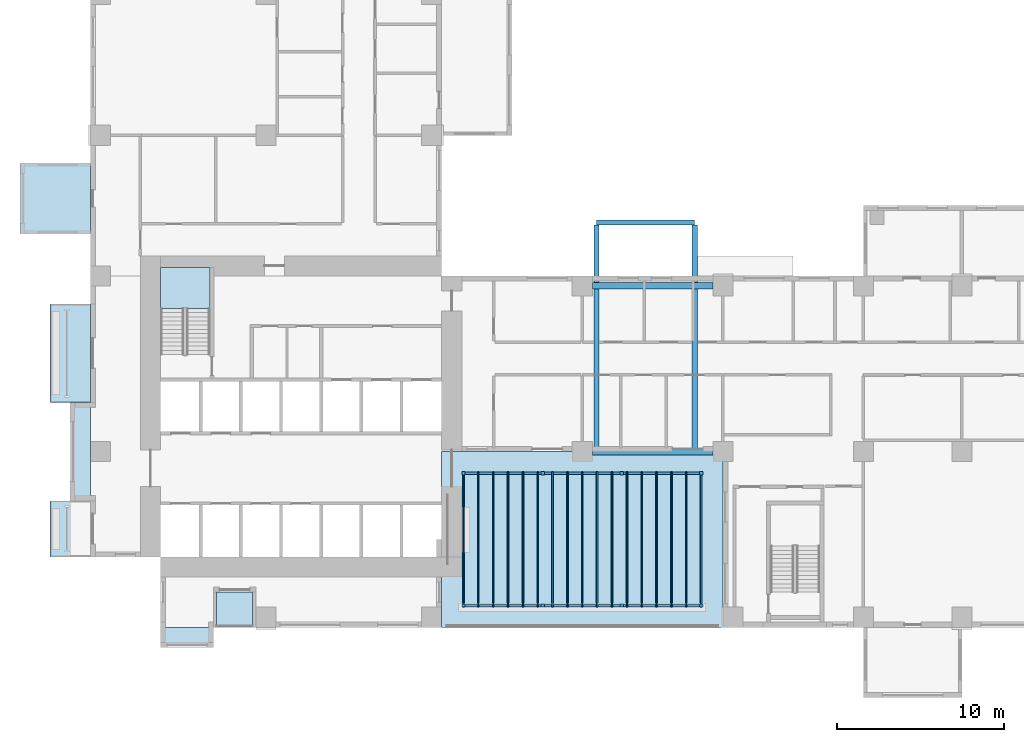
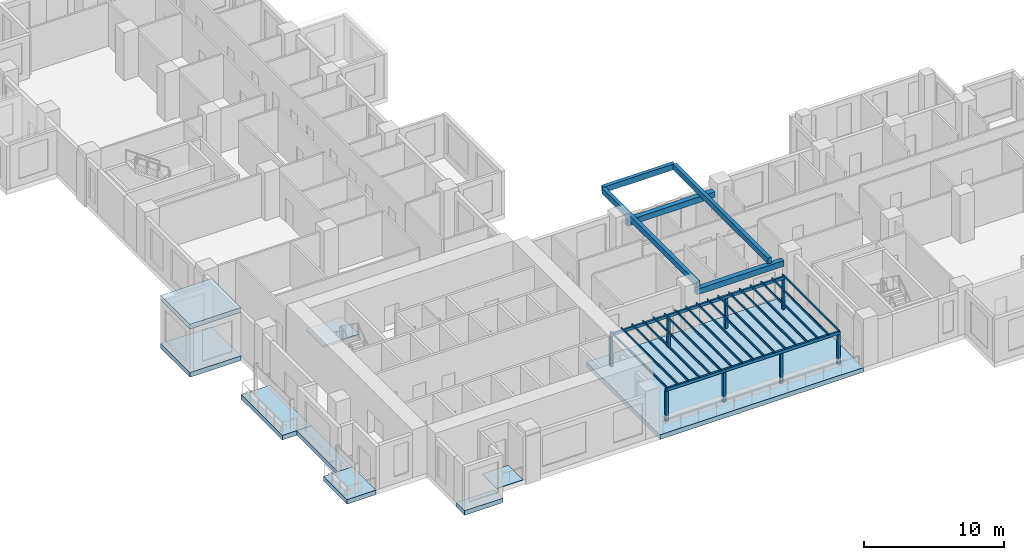
# One storey, part 2 of 17: 27 members, 9 slabs, 5 beams, 1 element without a shape of its own.
"""IFC4 building model written with IfcOpenShell, lengths in metres."""

from ifc_helpers import new_model, si_unit, direction, frame, origin, origin_2d, place, context, subcontext, project, spatial, polyline, rectangle, outline, extrude, source, transform, mapped, material, layer, layer_set, material_profile, profile_set, type_object, element, aggregate, save


model = new_model("IFC4")

# Units and contexts
model_context = context("Model", 3, precision=1e-05, world=origin(), true_north=direction((0.0, 1.0)))
body_context = subcontext(model_context, "Body", "Model", "MODEL_VIEW")
ifc_project = project(units=[si_unit("LENGTHUNIT", "METRE"), si_unit("AREAUNIT", "SQUARE_METRE"), si_unit("VOLUMEUNIT", "CUBIC_METRE"), si_unit("PLANEANGLEUNIT", "RADIAN"), si_unit("MASSUNIT", "GRAM", prefix="KILO")], contexts=[model_context])

# Site, building, storey
site_placement = place(None, origin())
site = spatial("IfcSite", under=ifc_project, at=site_placement, CompositionType="ELEMENT")
building_placement = place(site_placement, origin())
building = spatial("IfcBuilding", under=site, at=building_placement, Name="Aurelian Terraces", CompositionType="ELEMENT")
storey_placement = place(building_placement, frame((0.0, 0.0, 48.9)))
storey = spatial("IfcBuildingStorey", under=building, at=storey_placement, Name="L09", CompositionType="ELEMENT", Elevation=48.9)

# Beam
ifc_material_1 = material(Name="Concrete fc' 40 MPa", Category="concrete")
ifc_material_profile_1 = material_profile(ifc_material_1, rectangle(XDim=0.3, YDim=0.5, at=origin_2d()))
ifc_profile_set_1 = profile_set([ifc_material_profile_1], Name="Concrete fc' 40 MPa")
beam_type_1 = type_object("IfcBeamType", Name="CONCRETE CANTILEVER BEAM 300X500", PredefinedType="BEAM", material=ifc_profile_set_1)
beam_placement = place(storey_placement, frame((30.24, 24.2, 3.55), z_axis=(1.0, 0.0, 0.0), x_axis=(0.0, 1.0, 0.0)))
element("IfcBeam", 1, at=beam_placement, inside=storey, type_object=beam_type_1, Name="Box tip beam J06", PredefinedType="BEAM", context=body_context, shape_type="SweptSolid", body=[
    extrude(rectangle(XDim=0.3, YDim=0.5, at=origin_2d()), origin(), (0.0, 0.0, 1.0), 5.88),
])

# Members
ifc_material_2 = material(Name="Anodised aluminium", Category="aluminium")
ifc_material_profile_2 = material_profile(ifc_material_2, rectangle(XDim=0.15, YDim=0.25, at=origin_2d()))
ifc_profile_set_2 = profile_set([ifc_material_profile_2], Name="Anodised aluminium")
member_type_1 = type_object("IfcMemberType", Name="PERGOLA BEAM 150X250", PredefinedType="PURLIN", material=ifc_profile_set_2)
member_1_placement = place(storey_placement, frame((22.2, 1.3, 2.725), z_axis=(1.0, 0.0, 0.0), x_axis=(0.0, 1.0, 0.0)))
element("IfcMember", 2, at=member_1_placement, inside=storey, type_object=member_type_1, Name="Pergola beam L09 SKY-01-T1.1", PredefinedType="PURLIN", context=body_context, shape_type="SweptSolid", body=[
    extrude(rectangle(XDim=0.15, YDim=0.25, at=origin_2d()), origin(), (0.0, 0.0, 1.0), 14.4),
])
ifc_material_profile_3 = material_profile(ifc_material_2, rectangle(XDim=0.2, YDim=0.2, at=origin_2d()))
ifc_profile_set_3 = profile_set([ifc_material_profile_3], Name="Anodised aluminium")
member_type_2 = type_object("IfcMemberType", Name="PERGOLA POST 200X200", PredefinedType="POST", material=ifc_profile_set_3)
member_2_placement = place(storey_placement, frame((22.3, 1.3, 0.0), z_axis=(0.0, 0.0, 1.0), x_axis=(1.0, 0.0, 0.0)))
element("IfcMember", 3, at=member_2_placement, inside=storey, type_object=member_type_2, Name="Pergola post L09 SKY-01-T1.1.1", PredefinedType="POST", context=body_context, shape_type="SweptSolid", body=[
    extrude(rectangle(XDim=0.2, YDim=0.2, at=origin_2d()), origin(), (0.0, 0.0, 1.0), 2.6),
])
ifc_material_profile_4 = material_profile(ifc_material_2, rectangle(XDim=0.08, YDim=0.15, at=origin_2d()))
ifc_profile_set_4 = profile_set([ifc_material_profile_4], Name="Anodised aluminium")
member_type_3 = type_object("IfcMemberType", Name="PERGOLA RAFTER 80X150", PredefinedType="RAFTER", material=ifc_profile_set_4)
member_3_placement = place(storey_placement, frame((22.3, 1.2, 2.925), z_axis=(0.0, 1.0, 0.0), x_axis=(-1.0, 0.0, 0.0)))
element("IfcMember", 4, at=member_3_placement, inside=storey, type_object=member_type_3, Name="Pergola rafter L09 SKY-01-T1.1", PredefinedType="RAFTER", context=body_context, shape_type="SweptSolid", body=[
    extrude(rectangle(XDim=0.08, YDim=0.15, at=origin_2d()), origin(), (0.0, 0.0, 1.0), 8.1),
])

# Beams
shared_shape_1 = source(origin(), body_context, "Body", "SweptSolid", [
    extrude(rectangle(XDim=0.3, YDim=0.5, at=origin_2d()), origin(), (0.0, 0.0, 1.0), 13.55),
])
for number, where, z_axis, x_axis, name in (
    (5, (30.24, 24.05, 3.55), (0.0, -1.0, 0.0), (1.0, 0.0, 0.0), "Box cantilever beam J06.1"),
    (6, (36.12, 24.05, 3.55), (0.0, -1.0, 0.0), (1.0, 0.0, 0.0), "Box cantilever beam J06.2"),
):
    element("IfcBeam", number, at=place(storey_placement, frame(where, z_axis=z_axis, x_axis=x_axis)), inside=storey, type_object=beam_type_1, Name=name, PredefinedType="BEAM", context=body_context, shape_type="MappedRepresentation", body=[
        mapped(shared_shape_1, transform((0.0, 0.0, 0.0), scale=1.0)),
    ])
ifc_material_profile_5 = material_profile(ifc_material_1, rectangle(XDim=0.4, YDim=0.5, at=origin_2d()))
ifc_profile_set_5 = profile_set([ifc_material_profile_5], Name="Concrete fc' 40 MPa")
beam_type_2 = type_object("IfcBeamType", Name="CONCRETE EDGE GIRDER 400X500", PredefinedType="BEAM", material=ifc_profile_set_5)
shared_shape_2 = source(origin(), body_context, "Body", "SweptSolid", [
    extrude(rectangle(XDim=0.4, YDim=0.5, at=origin_2d()), origin(), (0.0, 0.0, 1.0), 7.2),
])
for number, where, z_axis, x_axis, name in (
    (7, (30.0, 20.4, 3.05), (1.0, 0.0, 0.0), (0.0, 1.0, 0.0), "Box girder L09 O12"),
    (8, (30.0, 10.5, 3.05), (1.0, 0.0, 0.0), (0.0, 1.0, 0.0), "Box girder L09 I13"),
):
    element("IfcBeam", number, at=place(storey_placement, frame(where, z_axis=z_axis, x_axis=x_axis)), inside=storey, type_object=beam_type_2, Name=name, PredefinedType="BEAM", context=body_context, shape_type="MappedRepresentation", body=[
        mapped(shared_shape_2, transform((0.0, 0.0, 0.0), scale=1.0)),
    ])

# Members
shared_shape_3 = source(origin(), body_context, "Body", "SweptSolid", [
    extrude(rectangle(XDim=0.2, YDim=0.2, at=origin_2d()), origin(), (0.0, 0.0, 1.0), 2.6),
])
for number, where, z_axis, x_axis, name in (
    (9, (22.3, 9.2, 0.0), (0.0, 0.0, 1.0), (1.0, 0.0, 0.0), "Pergola post L09 SKY-01-T1.1.2"),
    (10, (27.0333, 1.3, 0.0), (0.0, 0.0, 1.0), (1.0, 0.0, 0.0), "Pergola post L09 SKY-01-T1.2.1"),
    (11, (27.0333, 9.2, 0.0), (0.0, 0.0, 1.0), (1.0, 0.0, 0.0), "Pergola post L09 SKY-01-T1.2.2"),
    (12, (31.7667, 1.3, 0.0), (0.0, 0.0, 1.0), (1.0, 0.0, 0.0), "Pergola post L09 SKY-01-T1.3.1"),
    (13, (31.7667, 9.2, 0.0), (0.0, 0.0, 1.0), (1.0, 0.0, 0.0), "Pergola post L09 SKY-01-T1.3.2"),
    (14, (36.5, 1.3, 0.0), (0.0, 0.0, 1.0), (1.0, 0.0, 0.0), "Pergola post L09 SKY-01-T1.4.1"),
    (15, (36.5, 9.2, 0.0), (0.0, 0.0, 1.0), (1.0, 0.0, 0.0), "Pergola post L09 SKY-01-T1.4.2"),
):
    element("IfcMember", number, at=place(storey_placement, frame(where, z_axis=z_axis, x_axis=x_axis)), inside=storey, type_object=member_type_2, Name=name, PredefinedType="POST", context=body_context, shape_type="MappedRepresentation", body=[
        mapped(shared_shape_3, transform((0.0, 0.0, 0.0), scale=1.0)),
    ])
shared_shape_4 = source(origin(), body_context, "Body", "SweptSolid", [
    extrude(rectangle(XDim=0.15, YDim=0.25, at=origin_2d()), origin(), (0.0, 0.0, 1.0), 14.4),
])
member_4_placement = place(storey_placement, frame((22.2, 9.2, 2.725), z_axis=(1.0, 0.0, 0.0), x_axis=(0.0, 1.0, 0.0)))
element("IfcMember", 16, at=member_4_placement, inside=storey, type_object=member_type_1, Name="Pergola beam L09 SKY-01-T1.2", PredefinedType="PURLIN", context=body_context, shape_type="MappedRepresentation", body=[
    mapped(shared_shape_4, transform((0.0, 0.0, 0.0), scale=1.0)),
])
shared_shape_5 = source(origin(), body_context, "Body", "SweptSolid", [
    extrude(rectangle(XDim=0.08, YDim=0.15, at=origin_2d()), origin(), (0.0, 0.0, 1.0), 8.1),
])
for number, where, z_axis, x_axis, name in (
    (17, (23.1875, 1.2, 2.925), (0.0, 1.0, 0.0), (-1.0, 0.0, 0.0), "Pergola rafter L09 SKY-01-T1.2"),
    (18, (24.075, 1.2, 2.925), (0.0, 1.0, 0.0), (-1.0, 0.0, 0.0), "Pergola rafter L09 SKY-01-T1.3"),
    (19, (24.9625, 1.2, 2.925), (0.0, 1.0, 0.0), (-1.0, 0.0, 0.0), "Pergola rafter L09 SKY-01-T1.4"),
    (20, (25.85, 1.2, 2.925), (0.0, 1.0, 0.0), (-1.0, 0.0, 0.0), "Pergola rafter L09 SKY-01-T1.5"),
    (21, (26.7375, 1.2, 2.925), (0.0, 1.0, 0.0), (-1.0, 0.0, 0.0), "Pergola rafter L09 SKY-01-T1.6"),
    (22, (27.625, 1.2, 2.925), (0.0, 1.0, 0.0), (-1.0, 0.0, 0.0), "Pergola rafter L09 SKY-01-T1.7"),
    (23, (28.5125, 1.2, 2.925), (0.0, 1.0, 0.0), (-1.0, 0.0, 0.0), "Pergola rafter L09 SKY-01-T1.8"),
    (24, (29.4, 1.2, 2.925), (0.0, 1.0, 0.0), (-1.0, 0.0, 0.0), "Pergola rafter L09 SKY-01-T1.9"),
    (25, (30.2875, 1.2, 2.925), (0.0, 1.0, 0.0), (-1.0, 0.0, 0.0), "Pergola rafter L09 SKY-01-T1.10"),
    (26, (31.175, 1.2, 2.925), (0.0, 1.0, 0.0), (-1.0, 0.0, 0.0), "Pergola rafter L09 SKY-01-T1.11"),
    (27, (32.0625, 1.2, 2.925), (0.0, 1.0, 0.0), (-1.0, 0.0, 0.0), "Pergola rafter L09 SKY-01-T1.12"),
    (28, (32.95, 1.2, 2.925), (0.0, 1.0, 0.0), (-1.0, 0.0, 0.0), "Pergola rafter L09 SKY-01-T1.13"),
    (29, (33.8375, 1.2, 2.925), (0.0, 1.0, 0.0), (-1.0, 0.0, 0.0), "Pergola rafter L09 SKY-01-T1.14"),
    (30, (34.725, 1.2, 2.925), (0.0, 1.0, 0.0), (-1.0, 0.0, 0.0), "Pergola rafter L09 SKY-01-T1.15"),
    (31, (35.6125, 1.2, 2.925), (0.0, 1.0, 0.0), (-1.0, 0.0, 0.0), "Pergola rafter L09 SKY-01-T1.16"),
    (32, (36.5, 1.2, 2.925), (0.0, 1.0, 0.0), (-1.0, 0.0, 0.0), "Pergola rafter L09 SKY-01-T1.17"),
):
    element("IfcMember", number, at=place(storey_placement, frame(where, z_axis=z_axis, x_axis=x_axis)), inside=storey, type_object=member_type_3, Name=name, PredefinedType="RAFTER", context=body_context, shape_type="MappedRepresentation", body=[
        mapped(shared_shape_5, transform((0.0, 0.0, 0.0), scale=1.0)),
    ])

# Slabs
ifc_layer_1 = layer(ifc_material_1, 0.4)
ifc_layer_set_1 = layer_set([ifc_layer_1], Name="Bay floor 400")
slab_type_1 = type_object("IfcSlabType", Name="Bay floor 400", PredefinedType="NOTDEFINED", material=ifc_layer_set_1)
slab_1_placement = place(storey_placement, frame((0.0, 0.0, -0.4)))
element("IfcSlab", 33, at=slab_1_placement, inside=storey, type_object=slab_type_1, Name="Bay floor L09 F01.1", PredefinedType="NOTDEFINED", context=body_context, shape_type="SweptSolid", body=[
    extrude(outline(polyline([(4.2, 0.0), (7.35, 0.0), (7.35, -1.2), (4.2, -1.2), (4.2, 0.0)])), origin(), (0.0, 0.0, 1.0), 0.4),
])
slab_2_placement = place(storey_placement, frame((0.0, 0.0, -0.4)))
element("IfcSlab", 34, at=slab_2_placement, inside=storey, type_object=slab_type_1, Name="Bay floor L09 F18.42", PredefinedType="NOTDEFINED", context=body_context, shape_type="SweptSolid", body=[
    extrude(outline(polyline([(0.0, 13.44), (0.0, 7.56), (-1.2, 7.56), (-1.2, 13.44), (0.0, 13.44)])), origin(), (0.0, 0.0, 1.0), 0.4),
])
ifc_layer_2 = layer(ifc_material_1, 0.4)
ifc_layer_set_2 = layer_set([ifc_layer_2], Name="Box roof 400")
slab_type_2 = type_object("IfcSlabType", Name="Box roof 400", PredefinedType="ROOF", material=ifc_layer_set_2)
slab_3_placement = place(storey_placement, frame((0.0, 0.0, 3.8)))
element("IfcSlab", 35, at=slab_3_placement, inside=storey, type_object=slab_type_2, Name="Box roof J03", PredefinedType="ROOF", context=body_context, shape_type="SweptSolid", body=[
    extrude(outline(polyline([(-4.2, 27.72), (-4.2, 23.52), (0.0, 23.52), (0.0, 27.72), (-4.2, 27.72)])), origin(), (0.0, 0.0, 1.0), 0.4),
])
ifc_material_3 = material(Name="Granite paving", Category="masonry")
ifc_layer_3 = layer(ifc_material_3, 0.05)
ifc_layer_set_3 = layer_set([ifc_layer_3], Name="Loggia paving 50")
slab_type_3 = type_object("IfcSlabType", Name="Loggia paving 50", PredefinedType="NOTDEFINED", material=ifc_layer_set_3)
slab_4_placement = place(storey_placement, origin())
element("IfcSlab", 36, at=slab_4_placement, inside=storey, type_object=slab_type_3, Name="Loggia floor L09 F01.2", PredefinedType="NOTDEFINED", context=body_context, shape_type="SweptSolid", body=[
    extrude(outline(polyline([(7.55, 0.0), (9.7, 0.0), (9.7, 2.1), (7.55, 2.1), (7.55, 0.0)])), origin(), (0.0, 0.0, 1.0), 0.05),
])
ifc_layer_4 = layer(ifc_material_1, 0.4001)
ifc_layer_set_4 = layer_set([ifc_layer_4], Name="Terrace slab 400")
slab_type_4 = type_object("IfcSlabType", Name="Terrace slab 400", PredefinedType="NOTDEFINED", material=ifc_layer_set_4)
slab_5_placement = place(storey_placement, frame((0.0, 0.0, -0.4001)))
element("IfcSlab", 37, at=slab_5_placement, inside=storey, type_object=slab_type_4, Name="Sky terrace L09 SKY-01-T1", PredefinedType="NOTDEFINED", context=body_context, shape_type="SweptSolid", body=[
    extrude(outline(polyline([(37.8, 10.5), (37.8, 0.0), (21.0, 0.0), (21.0, 10.5), (37.8, 10.5)])), origin(), (0.0, 0.0, 1.0), 0.4001),
])
ifc_layer_5 = layer(ifc_material_1, 0.4)
ifc_layer_set_5 = layer_set([ifc_layer_5], Name="Balcony slab 400")
slab_type_5 = type_object("IfcSlabType", Name="Balcony slab 400", PredefinedType="NOTDEFINED", material=ifc_layer_set_5)
shared_shape_6 = source(origin(), body_context, "Body", "SweptSolid", [
    extrude(outline(polyline([(0.0, 19.32), (0.0, 13.44), (-2.4, 13.44), (-2.4, 19.32), (0.0, 19.32)])), origin(), (0.0, 0.0, 1.0), 0.4),
])
slab_6_placement = place(storey_placement, frame((0.0, 0.0, -0.4)))
element("IfcSlab", 38, at=slab_6_placement, inside=storey, type_object=slab_type_5, Name="Balcony slab L09 F18.41", PredefinedType="NOTDEFINED", context=body_context, shape_type="MappedRepresentation", body=[
    mapped(shared_shape_6, transform((0.0, 0.0, 0.0), scale=1.0)),
])
ifc_layer_6 = layer(ifc_material_1, 0.41)
ifc_layer_set_6 = layer_set([ifc_layer_6], Name="Box floor 410")
slab_type_6 = type_object("IfcSlabType", Name="Box floor 410", PredefinedType="NOTDEFINED", material=ifc_layer_set_6)
shared_shape_7 = source(origin(), body_context, "Body", "SweptSolid", [
    extrude(outline(polyline([(-4.2, 27.72), (-4.2, 23.52), (0.0, 23.52), (0.0, 27.72), (-4.2, 27.72)])), origin(), (0.0, 0.0, 1.0), 0.41),
])
slab_7_placement = place(storey_placement, frame((0.0, 0.0, -0.41)))
element("IfcSlab", 39, at=slab_7_placement, inside=storey, type_object=slab_type_6, Name="Box floor L09 J03", PredefinedType="NOTDEFINED", context=body_context, shape_type="MappedRepresentation", body=[
    mapped(shared_shape_7, transform((0.0, 0.0, 0.0), scale=1.0)),
])
shared_shape_8 = source(origin(), body_context, "Body", "SweptSolid", [
    extrude(outline(polyline([(0.0, 7.56), (0.0, 4.2), (-2.4, 4.2), (-2.4, 7.56), (0.0, 7.56)])), origin(), (0.0, 0.0, 1.0), 0.4),
])
slab_8_placement = place(storey_placement, frame((0.0, 0.0, -0.4)))
element("IfcSlab", 40, at=slab_8_placement, inside=storey, type_object=slab_type_5, Name="Balcony slab L09 F18.43", PredefinedType="NOTDEFINED", context=body_context, shape_type="MappedRepresentation", body=[
    mapped(shared_shape_8, transform((0.0, 0.0, 0.0), scale=1.0)),
])

# Stair, slab
stair_type = type_object("IfcStairType", Name="Stair 1400", PredefinedType="HALF_TURN_STAIR", material=ifc_material_1)
stair_placement = place(storey_placement, origin())
stair = element("IfcStair", 41, at=stair_placement, inside=storey, type_object=stair_type, Name="L09 S1", PredefinedType="HALF_TURN_STAIR")
ifc_layer_7 = layer(ifc_material_1, 0.2)
ifc_layer_set_7 = layer_set([ifc_layer_7], Name="Stair landing 200")
slab_type_7 = type_object("IfcSlabType", Name="Stair landing 200", PredefinedType="LANDING", material=ifc_layer_set_7)
shared_shape_9 = source(origin(), body_context, "Body", "SweptSolid", [
    extrude(outline(polyline([(7.15, 19.05), (7.15, 21.5), (4.2, 21.5), (4.2, 19.05), (7.15, 19.05)])), origin(), (0.0, 0.0, 1.0), 0.2),
])
slab_9_placement = place(storey_placement, frame((0.0, 0.0, 1.9)))
slab_9 = element("IfcSlab", 42, at=slab_9_placement, type_object=slab_type_7, Name="S1 landing 1", PredefinedType="LANDING", context=body_context, shape_type="MappedRepresentation", body=[
    mapped(shared_shape_9, transform((0.0, 0.0, 0.0), scale=1.0)),
])
aggregate(stair, [slab_9])

save(model, "model.ifc")
